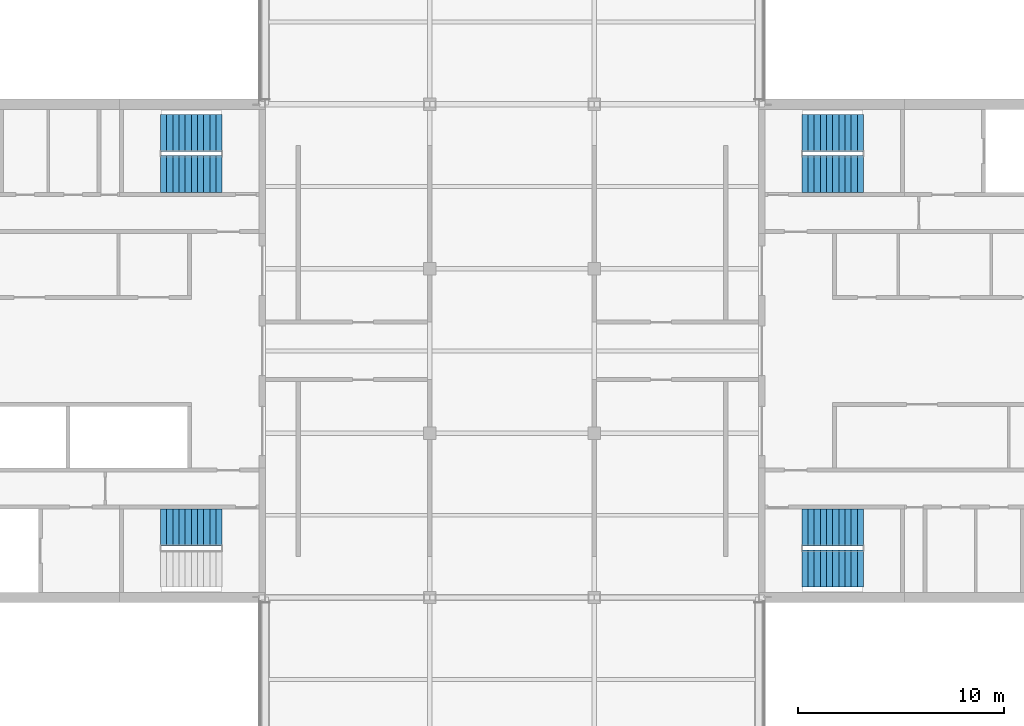
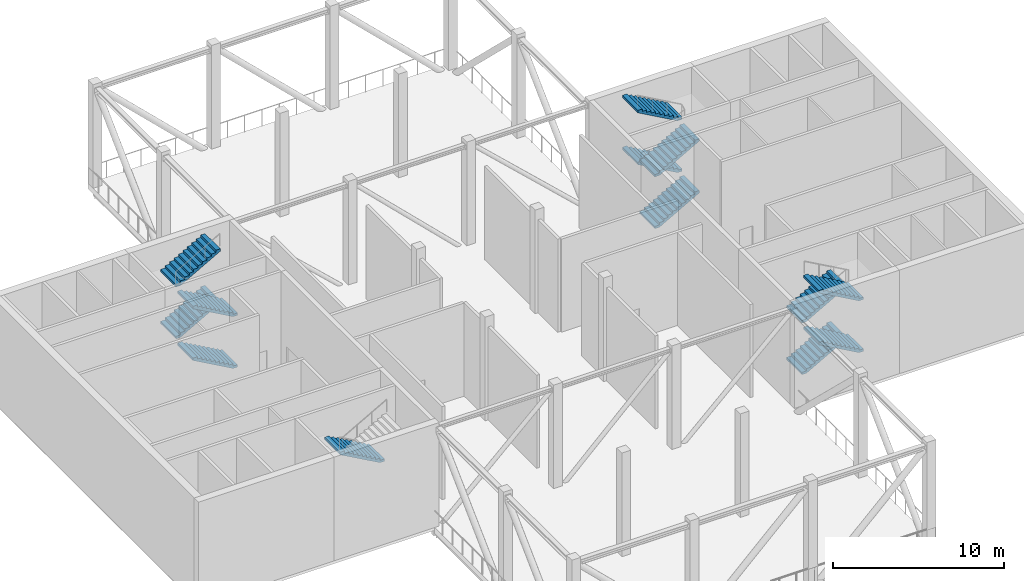
# One storey, part 5 of 9: 13 stair flights, 4 elements without a shape of their own.
"""IFC4 building model written with IfcOpenShell, lengths in metres."""

import ifcopenshell
import ifcopenshell.guid

model = None  # the IFC model being written
_history = None  # IfcOwnerHistory: only IFC2X3 demands one
_inside = {}  # id of a spatial element -> (the spatial element, [elements in it])
_under = {}  # id of a project, library or spatial element -> (it, [spatial elements below it])
_declared = {}  # id of a project -> (the project, [libraries it declares])
_typed = {}  # id of a type object -> (the type object, [elements of that type])
_made_of = {}  # id of a material, layer set ... -> (it, [elements and type objects made of it])


def new_model(schema):
    """Start an empty IFC model of exactly this schema.

    Asked for "IFC4X3", IfcOpenShell would pick the latest addendum, in which some entities
    have other attributes; the version numbers below select the first issue.
    IFC2X3 requires an IfcOwnerHistory on every rooted entity: one is made here for all.
    """
    global model, _history
    if schema == "IFC4X3":
        model = ifcopenshell.file(schema_version=(4, 3, 0, 0))
    else:
        model = ifcopenshell.file(schema=schema)
    _inside.clear()
    _under.clear()
    _declared.clear()
    _typed.clear()
    _made_of.clear()
    _history = None
    if model.schema == "IFC2X3":
        org = make("IfcOrganization", Name="unknown")
        user = make(
            "IfcPersonAndOrganization",
            ThePerson=make("IfcPerson", FamilyName="unknown"),
            TheOrganization=org,
        )
        app = make(
            "IfcApplication",
            ApplicationDeveloper=org,
            Version="unknown",
            ApplicationFullName="unknown",
            ApplicationIdentifier="unknown",
        )
        _history = make(
            "IfcOwnerHistory",
            OwningUser=user,
            OwningApplication=app,
            ChangeAction="ADDED",
            CreationDate=0,
        )
    return model


def make(cls, **values):
    """One entity of the class cls with the attributes given. An attribute that is None is left unset."""
    return model.create_entity(
        cls, **{name: value for name, value in values.items() if value is not None}
    )


def rooted(cls, **values):
    """An entity with a GlobalId (a new one), such as an element, a storey or a relation."""
    return make(cls, GlobalId=ifcopenshell.guid.new(), OwnerHistory=_history, **values)


def si_unit(unit_type, name, prefix=None):
    """IfcSIUnit, for example si_unit("LENGTHUNIT", "METRE", prefix="MILLI")."""
    return make("IfcSIUnit", UnitType=unit_type, Prefix=prefix, Name=name)


def assignment(units):
    """IfcUnitAssignment: the units of a project."""
    return None if units is None else make("IfcUnitAssignment", Units=units)


def point(xyz):
    """IfcCartesianPoint."""
    return None if xyz is None else make("IfcCartesianPoint", Coordinates=xyz)


def direction(xyz):
    """IfcDirection."""
    return None if xyz is None else make("IfcDirection", DirectionRatios=xyz)


def frame(location, z_axis=None, x_axis=None):
    """IfcAxis2Placement3D, a coordinate frame: its origin and axes. An axis left out is left unset."""
    return make(
        "IfcAxis2Placement3D",
        Location=point(location),
        Axis=direction(z_axis),
        RefDirection=direction(x_axis),
    )


def origin():
    """The frame at (0, 0, 0) with its axes left unset."""
    return frame((0.0, 0.0, 0.0))


def place(relative_to, where):
    """IfcLocalPlacement: puts the frame where relative to a parent placement (None: the world)."""
    return make(
        "IfcLocalPlacement", PlacementRelTo=relative_to, RelativePlacement=where
    )


def context(
    kind, dimensions, precision=None, world=None, true_north=None, identifier=None
):
    """IfcGeometricRepresentationContext, for example the 3D "Model" context."""
    return make(
        "IfcGeometricRepresentationContext",
        ContextIdentifier=identifier,
        ContextType=kind,
        CoordinateSpaceDimension=dimensions,
        Precision=precision,
        WorldCoordinateSystem=world,
        TrueNorth=true_north,
    )


def subcontext(parent, identifier, kind, view, scale=None):
    """IfcGeometricRepresentationSubContext, for example "Body" below "Model"."""
    return make(
        "IfcGeometricRepresentationSubContext",
        ContextIdentifier=identifier,
        ContextType=kind,
        ParentContext=parent,
        TargetScale=scale,
        TargetView=view,
    )


def project(units=None, contexts=None):
    """IfcProject with its units and contexts."""
    return rooted(
        "IfcProject",
        Name="project",
        RepresentationContexts=contexts,
        UnitsInContext=assignment(units),
    )


def spatial(cls, under=None, at=None, **own):
    """A site, building, storey or space (cls), placed at a placement, below another one or the project."""
    s = rooted(cls, ObjectPlacement=at, **own)
    if under is not None:
        _under.setdefault(under.id(), (under, []))[1].append(s)
    return s


def polyline(points):
    """IfcPolyline through the points."""
    return make("IfcPolyline", Points=[point(p) for p in points])


def outline(outer, holes=None, kind="AREA"):
    """IfcArbitraryClosedProfileDef: a profile drawn as a closed curve; with holes, ...WithVoids."""
    if holes is None:
        return make("IfcArbitraryClosedProfileDef", ProfileType=kind, OuterCurve=outer)
    return make(
        "IfcArbitraryProfileDefWithVoids",
        ProfileType=kind,
        OuterCurve=outer,
        InnerCurves=holes,
    )


def extrude(swept, where, along, depth):
    """IfcExtrudedAreaSolid: the profile swept, set in the frame where, extruded along a direction by depth."""
    return make(
        "IfcExtrudedAreaSolid",
        SweptArea=swept,
        Position=where,
        ExtrudedDirection=direction(along),
        Depth=depth,
    )


def shape(context_of_items, identifier, shape_type, items):
    """IfcShapeRepresentation: the items that make up one representation, for example the "Body"."""
    return make(
        "IfcShapeRepresentation",
        ContextOfItems=context_of_items,
        RepresentationIdentifier=identifier,
        RepresentationType=shape_type,
        Items=items,
    )


def material(Name=None, Category=None):
    """IfcMaterial."""
    return make("IfcMaterial", Name=Name, Category=Category)


def made_of(thing, what):
    """Note that an element or type object is made of a material, layer set ...; save() writes the relation."""
    if what is not None:
        _made_of.setdefault(what.id(), (what, []))[1].append(thing)
    return thing


def type_object(cls, material=None, **own):
    """A type object (cls), such as IfcWallType, which elements share."""
    return made_of(rooted(cls, **own), material)


def element(
    cls,
    number,
    at=None,
    inside=None,
    cuts=None,
    type_object=None,
    material=None,
    context=None,
    identifier="Body",
    shape_type=None,
    held_by="IfcProductDefinitionShape",
    body=None,
    shapes=None,
    **own,
):
    """One element of the class cls, such as IfcWall. Its Tag is "e" and its number.

    at: its placement. inside: the storey or other place that contains it. cuts: it is an
    opening in that element (IfcRelVoidsElement). A single representation is given by context,
    identifier, shape_type and body (its items); several are given by shapes. held_by: the class
    of the entity that holds the representations. save() writes the other relations.
    """
    e = rooted(cls, Tag="e%d" % number, ObjectPlacement=at, **own)
    if body is not None:
        shapes = [shape(context, identifier, shape_type, body)]
    if shapes is not None:
        e.Representation = make(held_by, Representations=shapes)
    if inside is not None:
        _inside.setdefault(inside.id(), (inside, []))[1].append(e)
    if cuts is not None:
        rooted(
            "IfcRelVoidsElement", RelatingBuildingElement=cuts, RelatedOpeningElement=e
        )
    if type_object is not None:
        _typed.setdefault(type_object.id(), (type_object, []))[1].append(e)
    return made_of(e, material)


def aggregate(whole, parts):
    """IfcRelAggregates: a whole, such as a stair, and the parts it consists of."""
    return rooted("IfcRelAggregates", RelatingObject=whole, RelatedObjects=parts)


def save(model, path):
    """Write the relations noted so far, then the file.

    IfcRelAggregates (storeys below a building ...), IfcRelContainedInSpatialStructure (elements
    in a storey), IfcRelDefinesByType, IfcRelAssociatesMaterial and IfcRelDeclares: one each for
    every whole, place, type object, material and project.
    """
    for whole, parts in _under.values():
        aggregate(whole, parts)
    for where, things in _inside.values():
        rooted(
            "IfcRelContainedInSpatialStructure",
            RelatedElements=things,
            RelatingStructure=where,
        )
    for kind, things in _typed.values():
        rooted("IfcRelDefinesByType", RelatedObjects=things, RelatingType=kind)
    for what, things in _made_of.values():
        rooted("IfcRelAssociatesMaterial", RelatedObjects=things, RelatingMaterial=what)
    for by, libraries in _declared.values():
        rooted("IfcRelDeclares", RelatingContext=by, RelatedDefinitions=libraries)
    model.write(path)


model = new_model("IFC4")

# Units and contexts
model_context = context("Model", 3, precision=1e-05, world=origin(), true_north=direction((0.0, 1.0)))
body_context = subcontext(model_context, "Body", "Model", "MODEL_VIEW")
ifc_project = project(units=[si_unit("LENGTHUNIT", "METRE"), si_unit("AREAUNIT", "SQUARE_METRE"), si_unit("VOLUMEUNIT", "CUBIC_METRE"), si_unit("PLANEANGLEUNIT", "RADIAN"), si_unit("MASSUNIT", "GRAM", prefix="KILO")], contexts=[model_context])

# Site, building, storey
site_placement = place(None, origin())
site = spatial("IfcSite", under=ifc_project, at=site_placement, CompositionType="ELEMENT")
building_placement = place(site_placement, origin())
building = spatial("IfcBuilding", under=site, at=building_placement, Name="Crosswind Convention Tower", CompositionType="ELEMENT")
storey_placement = place(building_placement, frame((0.0, 0.0, 303.89990234375)))
storey = spatial("IfcBuildingStorey", under=building, at=storey_placement, Name="L66", CompositionType="ELEMENT", Elevation=303.89990234375)

# Stair, stair flights
ifc_material = material(Name="Concrete C40/50", Category="concrete")
stair_type = type_object("IfcStairType", Name="Exit stair 1800 wide, 4 flights of 11 risers", PredefinedType="HALF_TURN_STAIR", material=ifc_material)
stair_1_placement = place(storey_placement, origin())
stair_1 = element("IfcStair", 1, at=stair_1_placement, inside=storey, type_object=stair_type, Name="Exit stair ST1 L66", ObjectType="ST6", PredefinedType="HALF_TURN_STAIR")
stair_flight_type = type_object("IfcStairFlightType", Name="Stair flight 1800 wide, 11 risers (SF3)", PredefinedType="STRAIGHT", material=ifc_material)
stair_flight_1_placement = place(storey_placement, frame((139.10009765625, 108.60009765625, 0.0), z_axis=(0.0, 0.0, 1.0), x_axis=(1.0, 0.0, 0.0)))
stair_flight_1 = element("IfcStairFlight", 2, at=stair_flight_1_placement, type_object=stair_flight_type, Name="ST1 flight 1", NumberOfRisers=11, NumberOfTreads=10, PredefinedType="STRAIGHT", RiserHeight=0.168181818, TreadLength=0.3, context=body_context, shape_type="SweptSolid", body=[
    extrude(outline(polyline([(0.0, 0.0), (0.0, 0.168212890625), (0.300048828125, 0.168212890625), (0.300048828125, 0.33642578125), (0.60009765625, 0.33642578125), (0.60009765625, 0.504638671875), (0.89990234375, 0.504638671875), (0.89990234375, 0.672607421875), (1.199951171875, 0.672607421875), (1.199951171875, 0.8408203125), (1.5, 0.8408203125), (1.5, 1.009033203125), (1.800048828125, 1.009033203125), (1.800048828125, 1.17724609375), (2.10009765625, 1.17724609375), (2.10009765625, 1.345458984375), (2.39990234375, 1.345458984375), (2.39990234375, 1.513671875), (2.699951171875, 1.513671875), (2.699951171875, 1.681884765625), (3.0, 1.681884765625), (3.0, 1.85009765625), (3.0, 1.510009765625), (0.306640625, 0.0), (0.0, 0.0)])), frame((0.0, 0.89990234375, 0.0), z_axis=(0.0, -1.0, 0.0), x_axis=(1.0, 0.0, 0.0)), (0.0, 0.0, 1.0), 1.800048828125),
])
stair_flight_2_placement = place(storey_placement, frame((142.10009765625, 110.60009765625, 1.85009765625), z_axis=(0.0, 0.0, 1.0), x_axis=(-1.0, 0.0, 0.0)))
stair_flight_2 = element("IfcStairFlight", 3, at=stair_flight_2_placement, type_object=stair_flight_type, Name="ST1 flight 2", NumberOfRisers=11, NumberOfTreads=10, PredefinedType="STRAIGHT", RiserHeight=0.168181818, TreadLength=0.3, context=body_context, shape_type="SweptSolid", body=[
    extrude(outline(polyline([(0.0, 0.0), (0.0, 0.168212890625), (0.300048828125, 0.168212890625), (0.300048828125, 0.33642578125), (0.60009765625, 0.33642578125), (0.60009765625, 0.504638671875), (0.89990234375, 0.504638671875), (0.89990234375, 0.672607421875), (1.199951171875, 0.672607421875), (1.199951171875, 0.8408203125), (1.5, 0.8408203125), (1.5, 1.009033203125), (1.800048828125, 1.009033203125), (1.800048828125, 1.17724609375), (2.10009765625, 1.17724609375), (2.10009765625, 1.345458984375), (2.39990234375, 1.345458984375), (2.39990234375, 1.513671875), (2.699951171875, 1.513671875), (2.699951171875, 1.681884765625), (3.0, 1.681884765625), (3.0, 1.85009765625), (3.0, 1.510009765625), (0.306640625, 0.0), (0.0, 0.0)])), frame((0.0, 0.89990234375, 0.0), z_axis=(0.0, -1.0, 0.0), x_axis=(1.0, 0.0, 0.0)), (0.0, 0.0, 1.0), 1.800048828125),
])
stair_flight_3_placement = place(storey_placement, frame((139.10009765625, 108.60009765625, 3.7001953125), z_axis=(0.0, 0.0, 1.0), x_axis=(1.0, 0.0, 0.0)))
stair_flight_3 = element("IfcStairFlight", 4, at=stair_flight_3_placement, type_object=stair_flight_type, Name="ST1 flight 3", NumberOfRisers=11, NumberOfTreads=10, PredefinedType="STRAIGHT", RiserHeight=0.168181818, TreadLength=0.3, context=body_context, shape_type="SweptSolid", body=[
    extrude(outline(polyline([(0.0, 0.0), (0.0, 0.168212890625), (0.300048828125, 0.168212890625), (0.300048828125, 0.33642578125), (0.60009765625, 0.33642578125), (0.60009765625, 0.504638671875), (0.89990234375, 0.504638671875), (0.89990234375, 0.672607421875), (1.199951171875, 0.672607421875), (1.199951171875, 0.8408203125), (1.5, 0.8408203125), (1.5, 1.009033203125), (1.800048828125, 1.009033203125), (1.800048828125, 1.17724609375), (2.10009765625, 1.17724609375), (2.10009765625, 1.345458984375), (2.39990234375, 1.345458984375), (2.39990234375, 1.513671875), (2.699951171875, 1.513671875), (2.699951171875, 1.681884765625), (3.0, 1.681884765625), (3.0, 1.85009765625), (3.0, 1.510009765625), (0.306640625, 0.0), (0.0, 0.0)])), frame((0.0, 0.89990234375, 0.0), z_axis=(0.0, -1.0, 0.0), x_axis=(1.0, 0.0, 0.0)), (0.0, 0.0, 1.0), 1.800048828125),
])
stair_flight_4_placement = place(storey_placement, frame((142.10009765625, 110.60009765625, 5.550048828125), z_axis=(0.0, 0.0, 1.0), x_axis=(-1.0, 0.0, 0.0)))
stair_flight_4 = element("IfcStairFlight", 5, at=stair_flight_4_placement, type_object=stair_flight_type, Name="ST1 flight 4", NumberOfRisers=11, NumberOfTreads=10, PredefinedType="STRAIGHT", RiserHeight=0.168181818, TreadLength=0.3, context=body_context, shape_type="SweptSolid", body=[
    extrude(outline(polyline([(0.0, 0.0), (0.0, 0.168212890625), (0.300048828125, 0.168212890625), (0.300048828125, 0.33642578125), (0.60009765625, 0.33642578125), (0.60009765625, 0.504638671875), (0.89990234375, 0.504638671875), (0.89990234375, 0.672607421875), (1.199951171875, 0.672607421875), (1.199951171875, 0.8408203125), (1.5, 0.8408203125), (1.5, 1.009033203125), (1.800048828125, 1.009033203125), (1.800048828125, 1.17724609375), (2.10009765625, 1.17724609375), (2.10009765625, 1.345458984375), (2.39990234375, 1.345458984375), (2.39990234375, 1.513671875), (2.699951171875, 1.513671875), (2.699951171875, 1.681884765625), (3.0, 1.681884765625), (3.0, 1.85009765625), (3.0, 1.510009765625), (0.306640625, 0.0), (0.0, 0.0)])), frame((0.0, 0.89990234375, 0.0), z_axis=(0.0, -1.0, 0.0), x_axis=(1.0, 0.0, 0.0)), (0.0, 0.0, 1.0), 1.800048828125),
])
aggregate(stair_1, [stair_flight_1, stair_flight_2, stair_flight_3, stair_flight_4])

stair_2_placement = place(storey_placement, origin())
stair_2 = element("IfcStair", 6, at=stair_2_placement, inside=storey, type_object=stair_type, Name="Exit stair ST2 L66", ObjectType="ST6", PredefinedType="HALF_TURN_STAIR")
stair_flight_5_placement = place(storey_placement, frame((139.10009765625, 91.39990234375, 0.0), z_axis=(0.0, 0.0, 1.0), x_axis=(1.0, 0.0, 0.0)))
stair_flight_5 = element("IfcStairFlight", 7, at=stair_flight_5_placement, type_object=stair_flight_type, Name="ST2 flight 1", NumberOfRisers=11, NumberOfTreads=10, PredefinedType="STRAIGHT", RiserHeight=0.168181818, TreadLength=0.3, context=body_context, shape_type="SweptSolid", body=[
    extrude(outline(polyline([(0.0, 0.0), (0.0, 0.168212890625), (0.300048828125, 0.168212890625), (0.300048828125, 0.33642578125), (0.60009765625, 0.33642578125), (0.60009765625, 0.504638671875), (0.89990234375, 0.504638671875), (0.89990234375, 0.672607421875), (1.199951171875, 0.672607421875), (1.199951171875, 0.8408203125), (1.5, 0.8408203125), (1.5, 1.009033203125), (1.800048828125, 1.009033203125), (1.800048828125, 1.17724609375), (2.10009765625, 1.17724609375), (2.10009765625, 1.345458984375), (2.39990234375, 1.345458984375), (2.39990234375, 1.513671875), (2.699951171875, 1.513671875), (2.699951171875, 1.681884765625), (3.0, 1.681884765625), (3.0, 1.85009765625), (3.0, 1.510009765625), (0.306640625, 0.0), (0.0, 0.0)])), frame((0.0, 0.89990234375, 0.0), z_axis=(0.0, -1.0, 0.0), x_axis=(1.0, 0.0, 0.0)), (0.0, 0.0, 1.0), 1.800048828125),
])
stair_flight_6_placement = place(storey_placement, frame((142.10009765625, 89.39990234375, 1.85009765625), z_axis=(0.0, 0.0, 1.0), x_axis=(-1.0, 0.0, 0.0)))
stair_flight_6 = element("IfcStairFlight", 8, at=stair_flight_6_placement, type_object=stair_flight_type, Name="ST2 flight 2", NumberOfRisers=11, NumberOfTreads=10, PredefinedType="STRAIGHT", RiserHeight=0.168181818, TreadLength=0.3, context=body_context, shape_type="SweptSolid", body=[
    extrude(outline(polyline([(0.0, 0.0), (0.0, 0.168212890625), (0.300048828125, 0.168212890625), (0.300048828125, 0.33642578125), (0.60009765625, 0.33642578125), (0.60009765625, 0.504638671875), (0.89990234375, 0.504638671875), (0.89990234375, 0.672607421875), (1.199951171875, 0.672607421875), (1.199951171875, 0.8408203125), (1.5, 0.8408203125), (1.5, 1.009033203125), (1.800048828125, 1.009033203125), (1.800048828125, 1.17724609375), (2.10009765625, 1.17724609375), (2.10009765625, 1.345458984375), (2.39990234375, 1.345458984375), (2.39990234375, 1.513671875), (2.699951171875, 1.513671875), (2.699951171875, 1.681884765625), (3.0, 1.681884765625), (3.0, 1.85009765625), (3.0, 1.510009765625), (0.306640625, 0.0), (0.0, 0.0)])), frame((0.0, 0.89990234375, 0.0), z_axis=(0.0, -1.0, 0.0), x_axis=(1.0, 0.0, 0.0)), (0.0, 0.0, 1.0), 1.800048828125),
])
stair_flight_7_placement = place(storey_placement, frame((139.10009765625, 91.39990234375, 3.7001953125), z_axis=(0.0, 0.0, 1.0), x_axis=(1.0, 0.0, 0.0)))
stair_flight_7 = element("IfcStairFlight", 9, at=stair_flight_7_placement, type_object=stair_flight_type, Name="ST2 flight 3", NumberOfRisers=11, NumberOfTreads=10, PredefinedType="STRAIGHT", RiserHeight=0.168181818, TreadLength=0.3, context=body_context, shape_type="SweptSolid", body=[
    extrude(outline(polyline([(0.0, 0.0), (0.0, 0.168212890625), (0.300048828125, 0.168212890625), (0.300048828125, 0.33642578125), (0.60009765625, 0.33642578125), (0.60009765625, 0.504638671875), (0.89990234375, 0.504638671875), (0.89990234375, 0.672607421875), (1.199951171875, 0.672607421875), (1.199951171875, 0.8408203125), (1.5, 0.8408203125), (1.5, 1.009033203125), (1.800048828125, 1.009033203125), (1.800048828125, 1.17724609375), (2.10009765625, 1.17724609375), (2.10009765625, 1.345458984375), (2.39990234375, 1.345458984375), (2.39990234375, 1.513671875), (2.699951171875, 1.513671875), (2.699951171875, 1.681884765625), (3.0, 1.681884765625), (3.0, 1.85009765625), (3.0, 1.510009765625), (0.306640625, 0.0), (0.0, 0.0)])), frame((0.0, 0.89990234375, 0.0), z_axis=(0.0, -1.0, 0.0), x_axis=(1.0, 0.0, 0.0)), (0.0, 0.0, 1.0), 1.800048828125),
])
stair_flight_8_placement = place(storey_placement, frame((142.10009765625, 89.39990234375, 5.550048828125), z_axis=(0.0, 0.0, 1.0), x_axis=(-1.0, 0.0, 0.0)))
stair_flight_8 = element("IfcStairFlight", 10, at=stair_flight_8_placement, type_object=stair_flight_type, Name="ST2 flight 4", NumberOfRisers=11, NumberOfTreads=10, PredefinedType="STRAIGHT", RiserHeight=0.168181818, TreadLength=0.3, context=body_context, shape_type="SweptSolid", body=[
    extrude(outline(polyline([(0.0, 0.0), (0.0, 0.168212890625), (0.300048828125, 0.168212890625), (0.300048828125, 0.33642578125), (0.60009765625, 0.33642578125), (0.60009765625, 0.504638671875), (0.89990234375, 0.504638671875), (0.89990234375, 0.672607421875), (1.199951171875, 0.672607421875), (1.199951171875, 0.8408203125), (1.5, 0.8408203125), (1.5, 1.009033203125), (1.800048828125, 1.009033203125), (1.800048828125, 1.17724609375), (2.10009765625, 1.17724609375), (2.10009765625, 1.345458984375), (2.39990234375, 1.345458984375), (2.39990234375, 1.513671875), (2.699951171875, 1.513671875), (2.699951171875, 1.681884765625), (3.0, 1.681884765625), (3.0, 1.85009765625), (3.0, 1.510009765625), (0.306640625, 0.0), (0.0, 0.0)])), frame((0.0, 0.89990234375, 0.0), z_axis=(0.0, -1.0, 0.0), x_axis=(1.0, 0.0, 0.0)), (0.0, 0.0, 1.0), 1.800048828125),
])
aggregate(stair_2, [stair_flight_5, stair_flight_6, stair_flight_7, stair_flight_8])

# Stair, stair flight
stair_3_placement = place(storey_placement, origin())
stair_3 = element("IfcStair", 11, at=stair_3_placement, inside=storey, type_object=stair_type, Name="Exit stair ST3 L66", ObjectType="ST6", PredefinedType="HALF_TURN_STAIR")
stair_flight_9_placement = place(storey_placement, frame((110.89990234375, 91.39990234375, 3.7001953125), z_axis=(0.0, 0.0, 1.0), x_axis=(-1.0, 0.0, 0.0)))
stair_flight_9 = element("IfcStairFlight", 12, at=stair_flight_9_placement, type_object=stair_flight_type, Name="ST3 flight 3", NumberOfRisers=11, NumberOfTreads=10, PredefinedType="STRAIGHT", RiserHeight=0.168181818, TreadLength=0.3, context=body_context, shape_type="SweptSolid", body=[
    extrude(outline(polyline([(0.0, 0.0), (0.0, 0.168212890625), (0.300048828125, 0.168212890625), (0.300048828125, 0.33642578125), (0.60009765625, 0.33642578125), (0.60009765625, 0.504638671875), (0.89990234375, 0.504638671875), (0.89990234375, 0.672607421875), (1.199951171875, 0.672607421875), (1.199951171875, 0.8408203125), (1.5, 0.8408203125), (1.5, 1.009033203125), (1.800048828125, 1.009033203125), (1.800048828125, 1.17724609375), (2.10009765625, 1.17724609375), (2.10009765625, 1.345458984375), (2.39990234375, 1.345458984375), (2.39990234375, 1.513671875), (2.699951171875, 1.513671875), (2.699951171875, 1.681884765625), (3.0, 1.681884765625), (3.0, 1.85009765625), (3.0, 1.510009765625), (0.306640625, 0.0), (0.0, 0.0)])), frame((0.0, 0.89990234375, 0.0), z_axis=(0.0, -1.0, 0.0), x_axis=(1.0, 0.0, 0.0)), (0.0, 0.0, 1.0), 1.800048828125),
])
aggregate(stair_3, [stair_flight_9])

# Stair, stair flights
stair_4_placement = place(storey_placement, origin())
stair_4 = element("IfcStair", 13, at=stair_4_placement, inside=storey, type_object=stair_type, Name="Exit stair ST4 L66", ObjectType="ST6", PredefinedType="HALF_TURN_STAIR")
stair_flight_10_placement = place(storey_placement, frame((110.89990234375, 108.60009765625, 0.0), z_axis=(0.0, 0.0, 1.0), x_axis=(-1.0, 0.0, 0.0)))
stair_flight_10 = element("IfcStairFlight", 14, at=stair_flight_10_placement, type_object=stair_flight_type, Name="ST4 flight 1", NumberOfRisers=11, NumberOfTreads=10, PredefinedType="STRAIGHT", RiserHeight=0.168181818, TreadLength=0.3, context=body_context, shape_type="SweptSolid", body=[
    extrude(outline(polyline([(0.0, 0.0), (0.0, 0.168212890625), (0.300048828125, 0.168212890625), (0.300048828125, 0.33642578125), (0.60009765625, 0.33642578125), (0.60009765625, 0.504638671875), (0.89990234375, 0.504638671875), (0.89990234375, 0.672607421875), (1.199951171875, 0.672607421875), (1.199951171875, 0.8408203125), (1.5, 0.8408203125), (1.5, 1.009033203125), (1.800048828125, 1.009033203125), (1.800048828125, 1.17724609375), (2.10009765625, 1.17724609375), (2.10009765625, 1.345458984375), (2.39990234375, 1.345458984375), (2.39990234375, 1.513671875), (2.699951171875, 1.513671875), (2.699951171875, 1.681884765625), (3.0, 1.681884765625), (3.0, 1.85009765625), (3.0, 1.510009765625), (0.306640625, 0.0), (0.0, 0.0)])), frame((0.0, 0.89990234375, 0.0), z_axis=(0.0, -1.0, 0.0), x_axis=(1.0, 0.0, 0.0)), (0.0, 0.0, 1.0), 1.800048828125),
])
stair_flight_11_placement = place(storey_placement, frame((107.89990234375, 110.60009765625, 1.85009765625), z_axis=(0.0, 0.0, 1.0), x_axis=(1.0, 0.0, 0.0)))
stair_flight_11 = element("IfcStairFlight", 15, at=stair_flight_11_placement, type_object=stair_flight_type, Name="ST4 flight 2", NumberOfRisers=11, NumberOfTreads=10, PredefinedType="STRAIGHT", RiserHeight=0.168181818, TreadLength=0.3, context=body_context, shape_type="SweptSolid", body=[
    extrude(outline(polyline([(0.0, 0.0), (0.0, 0.168212890625), (0.300048828125, 0.168212890625), (0.300048828125, 0.33642578125), (0.60009765625, 0.33642578125), (0.60009765625, 0.504638671875), (0.89990234375, 0.504638671875), (0.89990234375, 0.672607421875), (1.199951171875, 0.672607421875), (1.199951171875, 0.8408203125), (1.5, 0.8408203125), (1.5, 1.009033203125), (1.800048828125, 1.009033203125), (1.800048828125, 1.17724609375), (2.10009765625, 1.17724609375), (2.10009765625, 1.345458984375), (2.39990234375, 1.345458984375), (2.39990234375, 1.513671875), (2.699951171875, 1.513671875), (2.699951171875, 1.681884765625), (3.0, 1.681884765625), (3.0, 1.85009765625), (3.0, 1.510009765625), (0.306640625, 0.0), (0.0, 0.0)])), frame((0.0, 0.89990234375, 0.0), z_axis=(0.0, -1.0, 0.0), x_axis=(1.0, 0.0, 0.0)), (0.0, 0.0, 1.0), 1.800048828125),
])
stair_flight_12_placement = place(storey_placement, frame((110.89990234375, 108.60009765625, 3.7001953125), z_axis=(0.0, 0.0, 1.0), x_axis=(-1.0, 0.0, 0.0)))
stair_flight_12 = element("IfcStairFlight", 16, at=stair_flight_12_placement, type_object=stair_flight_type, Name="ST4 flight 3", NumberOfRisers=11, NumberOfTreads=10, PredefinedType="STRAIGHT", RiserHeight=0.168181818, TreadLength=0.3, context=body_context, shape_type="SweptSolid", body=[
    extrude(outline(polyline([(0.0, 0.0), (0.0, 0.168212890625), (0.300048828125, 0.168212890625), (0.300048828125, 0.33642578125), (0.60009765625, 0.33642578125), (0.60009765625, 0.504638671875), (0.89990234375, 0.504638671875), (0.89990234375, 0.672607421875), (1.199951171875, 0.672607421875), (1.199951171875, 0.8408203125), (1.5, 0.8408203125), (1.5, 1.009033203125), (1.800048828125, 1.009033203125), (1.800048828125, 1.17724609375), (2.10009765625, 1.17724609375), (2.10009765625, 1.345458984375), (2.39990234375, 1.345458984375), (2.39990234375, 1.513671875), (2.699951171875, 1.513671875), (2.699951171875, 1.681884765625), (3.0, 1.681884765625), (3.0, 1.85009765625), (3.0, 1.510009765625), (0.306640625, 0.0), (0.0, 0.0)])), frame((0.0, 0.89990234375, 0.0), z_axis=(0.0, -1.0, 0.0), x_axis=(1.0, 0.0, 0.0)), (0.0, 0.0, 1.0), 1.800048828125),
])
stair_flight_13_placement = place(storey_placement, frame((107.89990234375, 110.60009765625, 5.550048828125), z_axis=(0.0, 0.0, 1.0), x_axis=(1.0, 0.0, 0.0)))
stair_flight_13 = element("IfcStairFlight", 17, at=stair_flight_13_placement, type_object=stair_flight_type, Name="ST4 flight 4", NumberOfRisers=11, NumberOfTreads=10, PredefinedType="STRAIGHT", RiserHeight=0.168181818, TreadLength=0.3, context=body_context, shape_type="SweptSolid", body=[
    extrude(outline(polyline([(0.0, 0.0), (0.0, 0.168212890625), (0.300048828125, 0.168212890625), (0.300048828125, 0.33642578125), (0.60009765625, 0.33642578125), (0.60009765625, 0.504638671875), (0.89990234375, 0.504638671875), (0.89990234375, 0.672607421875), (1.199951171875, 0.672607421875), (1.199951171875, 0.8408203125), (1.5, 0.8408203125), (1.5, 1.009033203125), (1.800048828125, 1.009033203125), (1.800048828125, 1.17724609375), (2.10009765625, 1.17724609375), (2.10009765625, 1.345458984375), (2.39990234375, 1.345458984375), (2.39990234375, 1.513671875), (2.699951171875, 1.513671875), (2.699951171875, 1.681884765625), (3.0, 1.681884765625), (3.0, 1.85009765625), (3.0, 1.510009765625), (0.306640625, 0.0), (0.0, 0.0)])), frame((0.0, 0.89990234375, 0.0), z_axis=(0.0, -1.0, 0.0), x_axis=(1.0, 0.0, 0.0)), (0.0, 0.0, 1.0), 1.800048828125),
])
aggregate(stair_4, [stair_flight_10, stair_flight_11, stair_flight_12, stair_flight_13])

save(model, "model.ifc")
